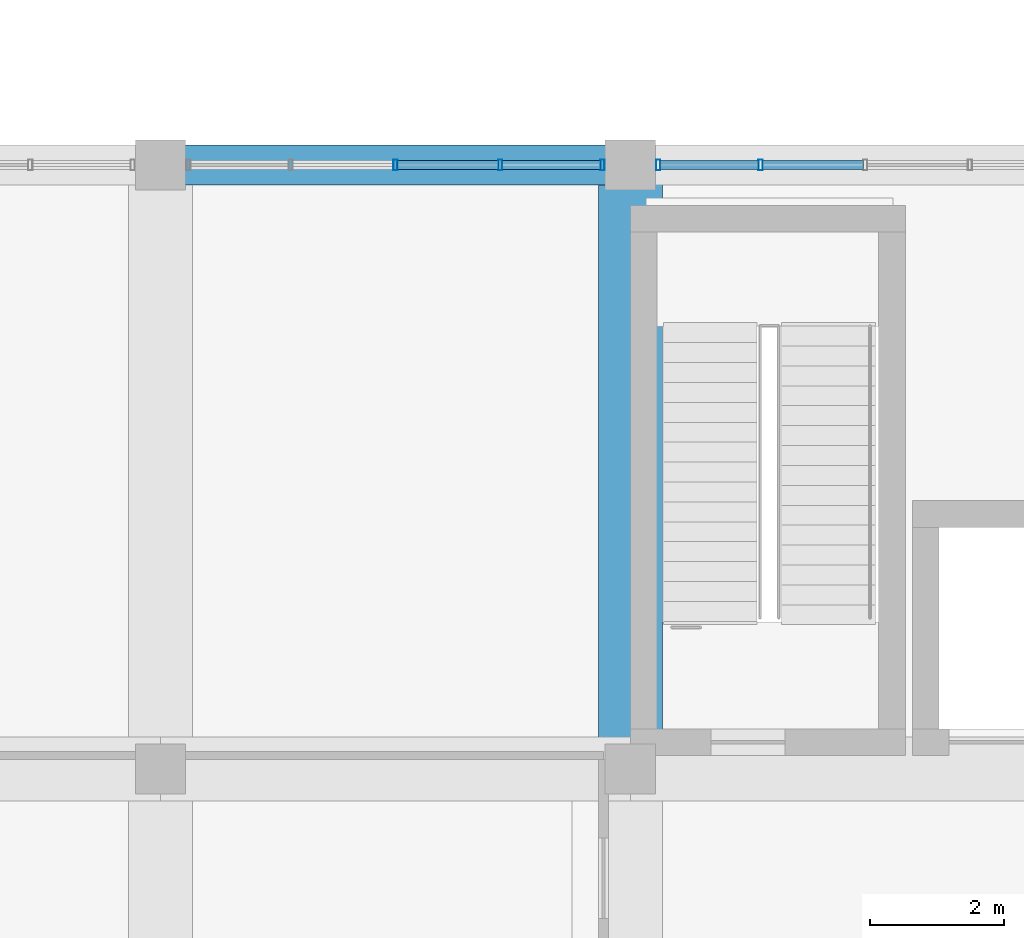
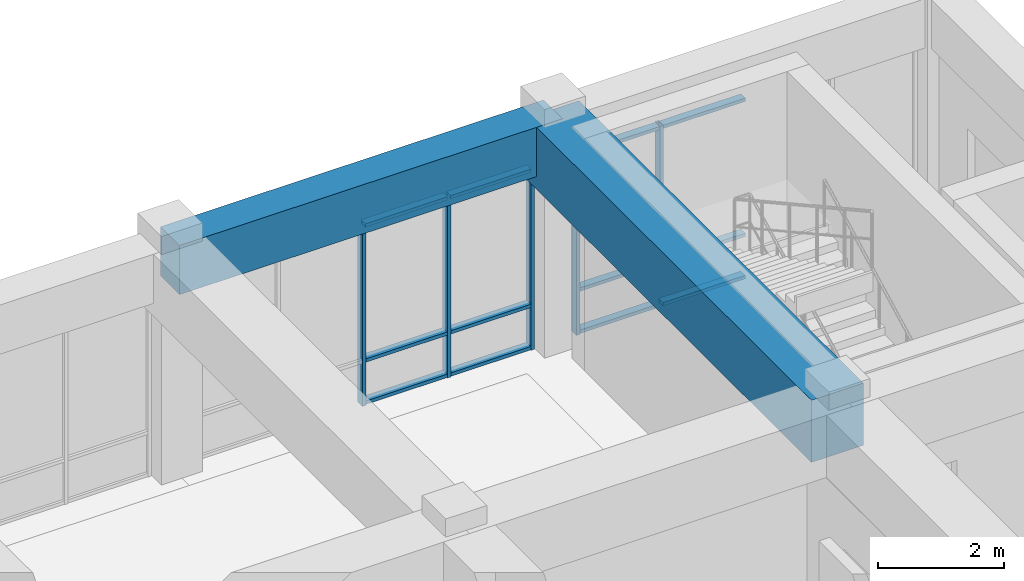
# One storey, part 60 of 104: 17 members, 2 beams, 2 elements without a shape of their own.
"""IFC4 building model written with IfcOpenShell, lengths in metres."""

from ifc_helpers import new_model, si_unit, direction, frame, origin, origin_2d, place, context, subcontext, project, spatial, rectangle, hollow_rectangle, extrude, material, layer, layer_set, material_profile, profile_set, type_object, element, aggregate, save


model = new_model("IFC4")

# Units and contexts
model_context = context("Model", 3, precision=1e-05, world=origin(), true_north=direction((0.0, 1.0)))
body_context = subcontext(model_context, "Body", "Model", "MODEL_VIEW")
ifc_project = project(units=[si_unit("LENGTHUNIT", "METRE"), si_unit("AREAUNIT", "SQUARE_METRE"), si_unit("VOLUMEUNIT", "CUBIC_METRE"), si_unit("PLANEANGLEUNIT", "RADIAN"), si_unit("MASSUNIT", "GRAM", prefix="KILO")], contexts=[model_context])

# Site, building, storey
site_placement = place(None, origin())
site = spatial("IfcSite", under=ifc_project, at=site_placement, CompositionType="ELEMENT")
building_placement = place(site_placement, origin())
building = spatial("IfcBuilding", under=site, at=building_placement, Name="Ventoquebrada Cableway Terminal", CompositionType="ELEMENT")
storey_placement = place(building_placement, frame((0.0, 0.0, 4.800048828125)))
storey = spatial("IfcBuildingStorey", under=building, at=storey_placement, Name="L01", CompositionType="ELEMENT", Elevation=4.800048828125)

# Beams
ifc_material_1 = material(Name="Concrete C40/50", Category="concrete")
ifc_material_profile_1 = material_profile(ifc_material_1, rectangle(XDim=0.60009765625, YDim=0.949951171875, at=origin_2d()), Name="RC-BM-600X950")
ifc_profile_set_1 = profile_set([ifc_material_profile_1], Name="Concrete C40/50")
beam_type_1 = type_object("IfcBeamType", Name="BM-RC05", PredefinedType="BEAM", material=ifc_profile_set_1)
beam_1_placement = place(storey_placement, frame((109.0, 104.0, 3.974853515625), z_axis=(1.0, 0.0, 0.0), x_axis=(0.0, 1.0, 0.0)))
element("IfcBeam", 1, at=beam_1_placement, inside=storey, type_object=beam_type_1, Name="Perimeter spandrel beam FBM-0641", PredefinedType="BEAM", context=body_context, shape_type="SweptSolid", body=[
    extrude(rectangle(XDim=0.60009765625, YDim=0.949951171875, at=origin_2d()), origin(), (0.0, 0.0, 1.0), 7.0),
])
ifc_material_profile_2 = material_profile(ifc_material_1, rectangle(XDim=0.949951171875, YDim=1.199951171875, at=origin_2d()), Name="RC-BM-950X1200")
ifc_profile_set_2 = profile_set([ifc_material_profile_2], Name="Concrete C40/50")
beam_type_2 = type_object("IfcBeamType", Name="BM-RC06", PredefinedType="BEAM", material=ifc_profile_set_2)
beam_2_placement = place(storey_placement, frame((116.0, 95.0, 3.849853515625), z_axis=(0.0, 1.0, 0.0), x_axis=(-1.0, 0.0, 0.0)))
element("IfcBeam", 2, at=beam_2_placement, inside=storey, type_object=beam_type_2, Name="Primary frame girder FBM-0657", PredefinedType="BEAM", context=body_context, shape_type="SweptSolid", body=[
    extrude(rectangle(XDim=0.949951171875, YDim=1.199951171875, at=origin_2d()), origin(), (0.0, 0.0, 1.0), 9.0),
])

# Curtain wall, members
ifc_material_2 = material(Name="Anodized thermally-broken aluminium", Category="aluminium")
ifc_layer = layer(ifc_material_2, 0.159912109375)
ifc_layer_set = layer_set([ifc_layer], Name="Anodized thermally-broken aluminium")
curtain_wall_type = type_object("IfcCurtainWallType", Name="CW-T27", PredefinedType="USERDEFINED", material=ifc_layer_set)
curtain_wall_1_placement = place(storey_placement, origin())
curtain_wall_1 = element("IfcCurtainWall", 3, at=curtain_wall_1_placement, inside=storey, type_object=curtain_wall_type, Name="Unitised glazed curtain wall CW-065", ObjectType="UNITISED CURTAIN WALL", PredefinedType="USERDEFINED")
ifc_material_profile_3 = material_profile(ifc_material_2, hollow_rectangle(XDim=0.06494140625, YDim=0.159912109375, WallThickness=0.00390625, at=origin_2d()), Name="CW-MUL-65X160")
ifc_profile_set_3 = profile_set([ifc_material_profile_3], Name="Anodized thermally-broken aluminium")
member_type_1 = type_object("IfcMemberType", Name="CWM-01", PredefinedType="MULLION", material=ifc_profile_set_3)
member_1_placement = place(storey_placement, frame((115.5849609375, 104.0, -0.008056640625), z_axis=(0.0, 0.0, 1.0), x_axis=(-1.0, 0.0, 0.0)))
member_1 = element("IfcMember", 4, at=member_1_placement, type_object=member_type_1, Name="Curtain wall mullion FML-0302", PredefinedType="MULLION", context=body_context, shape_type="SweptSolid", body=[
    extrude(hollow_rectangle(XDim=0.06494140625, YDim=0.159912109375, WallThickness=0.00390625, at=origin_2d()), origin(), (0.0, 0.0, 1.0), 3.508056640625),
])
member_2_placement = place(storey_placement, frame((114.06005859375, 104.0, -0.008056640625), z_axis=(0.0, 0.0, 1.0), x_axis=(-1.0, 0.0, 0.0)))
member_2 = element("IfcMember", 5, at=member_2_placement, type_object=member_type_1, Name="Curtain wall mullion FML-0303", PredefinedType="MULLION", context=body_context, shape_type="SweptSolid", body=[
    extrude(hollow_rectangle(XDim=0.06494140625, YDim=0.159912109375, WallThickness=0.00390625, at=origin_2d()), origin(), (0.0, 0.0, 1.0), 3.508056640625),
])
member_3_placement = place(storey_placement, frame((112.5, 104.0, -0.008056640625), z_axis=(0.0, 0.0, 1.0), x_axis=(-1.0, 0.0, 0.0)))
member_3 = element("IfcMember", 6, at=member_3_placement, type_object=member_type_1, Name="Curtain wall mullion FML-0304", PredefinedType="MULLION", context=body_context, shape_type="SweptSolid", body=[
    extrude(hollow_rectangle(XDim=0.06494140625, YDim=0.159912109375, WallThickness=0.00390625, at=origin_2d()), origin(), (0.0, 0.0, 1.0), 3.508056640625),
])

curtain_wall_2_placement = place(storey_placement, origin())
curtain_wall_2 = element("IfcCurtainWall", 7, at=curtain_wall_2_placement, inside=storey, type_object=curtain_wall_type, Name="Unitised glazed curtain wall CW-066", ObjectType="UNITISED CURTAIN WALL", PredefinedType="USERDEFINED")
member_4_placement = place(storey_placement, frame((117.93994140625, 104.0, -0.008056640625), z_axis=(0.0, 0.0, 1.0), x_axis=(-1.0, 0.0, 0.0)))
member_4 = element("IfcMember", 8, at=member_4_placement, type_object=member_type_1, Name="Curtain wall mullion FML-0310", PredefinedType="MULLION", context=body_context, shape_type="SweptSolid", body=[
    extrude(hollow_rectangle(XDim=0.06494140625, YDim=0.159912109375, WallThickness=0.00390625, at=origin_2d()), origin(), (0.0, 0.0, 1.0), 3.508056640625),
])
member_5_placement = place(storey_placement, frame((116.4150390625, 104.0, -0.008056640625), z_axis=(0.0, 0.0, 1.0), x_axis=(-1.0, 0.0, 0.0)))
member_5 = element("IfcMember", 9, at=member_5_placement, type_object=member_type_1, Name="Curtain wall mullion FML-0311", PredefinedType="MULLION", context=body_context, shape_type="SweptSolid", body=[
    extrude(hollow_rectangle(XDim=0.06494140625, YDim=0.159912109375, WallThickness=0.00390625, at=origin_2d()), origin(), (0.0, 0.0, 1.0), 3.508056640625),
])

# Member
ifc_material_profile_4 = material_profile(ifc_material_2, hollow_rectangle(XDim=0.06494140625, YDim=0.139892578125, WallThickness=0.00390625, at=origin_2d()), Name="CW-TRN-65X140")
ifc_profile_set_4 = profile_set([ifc_material_profile_4], Name="Anodized thermally-broken aluminium")
member_type_2 = type_object("IfcMemberType", Name="CWT-01", PredefinedType="USERDEFINED", material=ifc_profile_set_4)
member_6_placement = place(storey_placement, frame((115.55810546875, 104.0, 0.034912109375), z_axis=(-1.0, 0.0, 0.0), x_axis=(0.0, 0.0, 1.0)))
member_6 = element("IfcMember", 10, at=member_6_placement, type_object=member_type_2, Name="Curtain wall transom FTR-0886", ObjectType="TRANSOM", PredefinedType="USERDEFINED", context=body_context, shape_type="SweptSolid", body=[
    extrude(hollow_rectangle(XDim=0.06494140625, YDim=0.139892578125, WallThickness=0.00390625, at=origin_2d()), origin(), (0.0, 0.0, 1.0), 1.47021484375),
])

member_7_placement = place(storey_placement, frame((115.55810546875, 104.0, 0.849853515625), z_axis=(-1.0, 0.0, 0.0), x_axis=(0.0, 0.0, 1.0)))
member_7 = element("IfcMember", 11, at=member_7_placement, type_object=member_type_2, Name="Curtain wall transom FTR-0887", ObjectType="TRANSOM", PredefinedType="USERDEFINED", context=body_context, shape_type="SweptSolid", body=[
    extrude(hollow_rectangle(XDim=0.06494140625, YDim=0.139892578125, WallThickness=0.00390625, at=origin_2d()), origin(), (0.0, 0.0, 1.0), 1.47021484375),
])

member_8_placement = place(storey_placement, frame((115.55810546875, 104.0, 3.4599609375), z_axis=(-1.0, 0.0, 0.0), x_axis=(0.0, 0.0, 1.0)))
member_8 = element("IfcMember", 12, at=member_8_placement, type_object=member_type_2, Name="Curtain wall transom FTR-0888", ObjectType="TRANSOM", PredefinedType="USERDEFINED", context=body_context, shape_type="SweptSolid", body=[
    extrude(hollow_rectangle(XDim=0.06494140625, YDim=0.139892578125, WallThickness=0.00390625, at=origin_2d()), origin(), (0.0, 0.0, 1.0), 1.47021484375),
])

member_9_placement = place(storey_placement, frame((114.031982421875, 104.0, 0.034912109375), z_axis=(-1.0, 0.0, 0.0), x_axis=(0.0, 0.0, 1.0)))
member_9 = element("IfcMember", 13, at=member_9_placement, type_object=member_type_2, Name="Curtain wall transom FTR-0889", ObjectType="TRANSOM", PredefinedType="USERDEFINED", context=body_context, shape_type="SweptSolid", body=[
    extrude(hollow_rectangle(XDim=0.06494140625, YDim=0.139892578125, WallThickness=0.00390625, at=origin_2d()), origin(), (0.0, 0.0, 1.0), 1.50390625),
])

member_10_placement = place(storey_placement, frame((114.031982421875, 104.0, 0.849853515625), z_axis=(-1.0, 0.0, 0.0), x_axis=(0.0, 0.0, 1.0)))
member_10 = element("IfcMember", 14, at=member_10_placement, type_object=member_type_2, Name="Curtain wall transom FTR-0890", ObjectType="TRANSOM", PredefinedType="USERDEFINED", context=body_context, shape_type="SweptSolid", body=[
    extrude(hollow_rectangle(XDim=0.06494140625, YDim=0.139892578125, WallThickness=0.00390625, at=origin_2d()), origin(), (0.0, 0.0, 1.0), 1.50390625),
])

member_11_placement = place(storey_placement, frame((114.031982421875, 104.0, 3.4599609375), z_axis=(-1.0, 0.0, 0.0), x_axis=(0.0, 0.0, 1.0)))
member_11 = element("IfcMember", 15, at=member_11_placement, type_object=member_type_2, Name="Curtain wall transom FTR-0891", ObjectType="TRANSOM", PredefinedType="USERDEFINED", context=body_context, shape_type="SweptSolid", body=[
    extrude(hollow_rectangle(XDim=0.06494140625, YDim=0.139892578125, WallThickness=0.00390625, at=origin_2d()), origin(), (0.0, 0.0, 1.0), 1.50390625),
])

aggregate(curtain_wall_1, [member_1, member_2, member_3, member_6, member_7, member_8, member_9, member_10, member_11])

member_12_placement = place(storey_placement, frame((119.471923828125, 104.0, 0.034912109375), z_axis=(-1.0, 0.0, 0.0), x_axis=(0.0, 0.0, 1.0)))
member_12 = element("IfcMember", 16, at=member_12_placement, type_object=member_type_2, Name="Curtain wall transom FTR-0904", ObjectType="TRANSOM", PredefinedType="USERDEFINED", context=body_context, shape_type="SweptSolid", body=[
    extrude(hollow_rectangle(XDim=0.06494140625, YDim=0.139892578125, WallThickness=0.00390625, at=origin_2d()), origin(), (0.0, 0.0, 1.0), 1.50390625),
])

member_13_placement = place(storey_placement, frame((119.471923828125, 104.0, 0.849853515625), z_axis=(-1.0, 0.0, 0.0), x_axis=(0.0, 0.0, 1.0)))
member_13 = element("IfcMember", 17, at=member_13_placement, type_object=member_type_2, Name="Curtain wall transom FTR-0905", ObjectType="TRANSOM", PredefinedType="USERDEFINED", context=body_context, shape_type="SweptSolid", body=[
    extrude(hollow_rectangle(XDim=0.06494140625, YDim=0.139892578125, WallThickness=0.00390625, at=origin_2d()), origin(), (0.0, 0.0, 1.0), 1.50390625),
])

member_14_placement = place(storey_placement, frame((119.471923828125, 104.0, 3.4599609375), z_axis=(-1.0, 0.0, 0.0), x_axis=(0.0, 0.0, 1.0)))
member_14 = element("IfcMember", 18, at=member_14_placement, type_object=member_type_2, Name="Curtain wall transom FTR-0906", ObjectType="TRANSOM", PredefinedType="USERDEFINED", context=body_context, shape_type="SweptSolid", body=[
    extrude(hollow_rectangle(XDim=0.06494140625, YDim=0.139892578125, WallThickness=0.00390625, at=origin_2d()), origin(), (0.0, 0.0, 1.0), 1.50390625),
])

member_15_placement = place(storey_placement, frame((117.912109375, 104.0, 0.034912109375), z_axis=(-1.0, 0.0, 0.0), x_axis=(0.0, 0.0, 1.0)))
member_15 = element("IfcMember", 19, at=member_15_placement, type_object=member_type_2, Name="Curtain wall transom FTR-0907", ObjectType="TRANSOM", PredefinedType="USERDEFINED", context=body_context, shape_type="SweptSolid", body=[
    extrude(hollow_rectangle(XDim=0.06494140625, YDim=0.139892578125, WallThickness=0.00390625, at=origin_2d()), origin(), (0.0, 0.0, 1.0), 1.47021484375),
])

member_16_placement = place(storey_placement, frame((117.912109375, 104.0, 0.849853515625), z_axis=(-1.0, 0.0, 0.0), x_axis=(0.0, 0.0, 1.0)))
member_16 = element("IfcMember", 20, at=member_16_placement, type_object=member_type_2, Name="Curtain wall transom FTR-0908", ObjectType="TRANSOM", PredefinedType="USERDEFINED", context=body_context, shape_type="SweptSolid", body=[
    extrude(hollow_rectangle(XDim=0.06494140625, YDim=0.139892578125, WallThickness=0.00390625, at=origin_2d()), origin(), (0.0, 0.0, 1.0), 1.47021484375),
])

member_17_placement = place(storey_placement, frame((117.912109375, 104.0, 3.4599609375), z_axis=(-1.0, 0.0, 0.0), x_axis=(0.0, 0.0, 1.0)))
member_17 = element("IfcMember", 21, at=member_17_placement, type_object=member_type_2, Name="Curtain wall transom FTR-0909", ObjectType="TRANSOM", PredefinedType="USERDEFINED", context=body_context, shape_type="SweptSolid", body=[
    extrude(hollow_rectangle(XDim=0.06494140625, YDim=0.139892578125, WallThickness=0.00390625, at=origin_2d()), origin(), (0.0, 0.0, 1.0), 1.47021484375),
])

aggregate(curtain_wall_2, [member_4, member_5, member_12, member_13, member_14, member_15, member_16, member_17])

save(model, "model.ifc")
